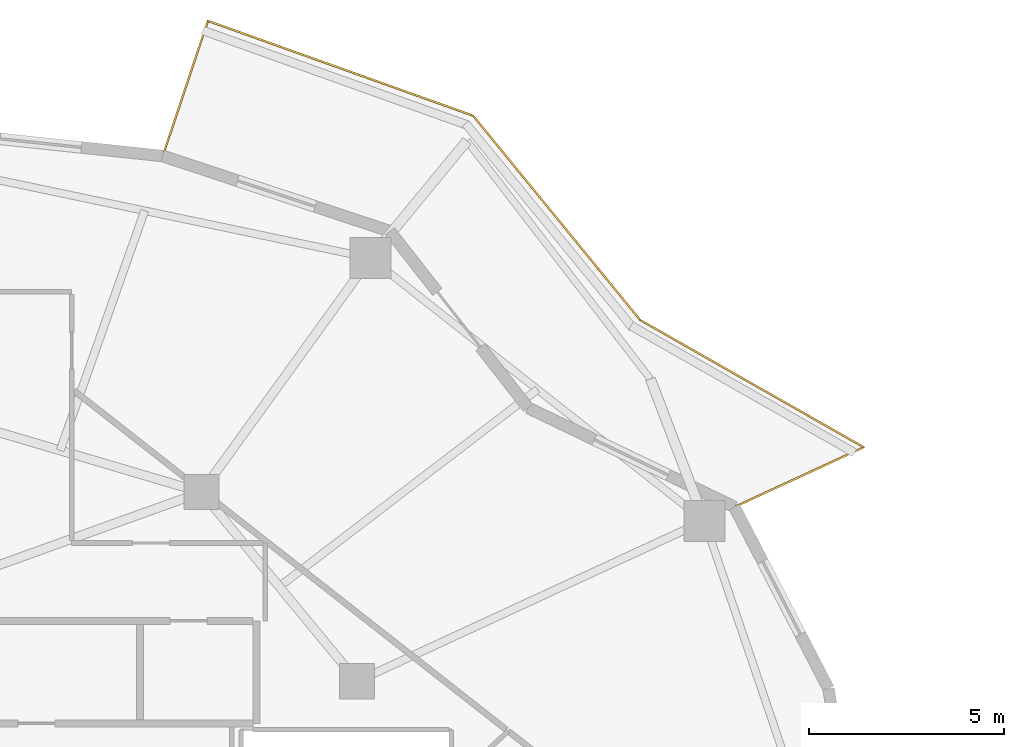
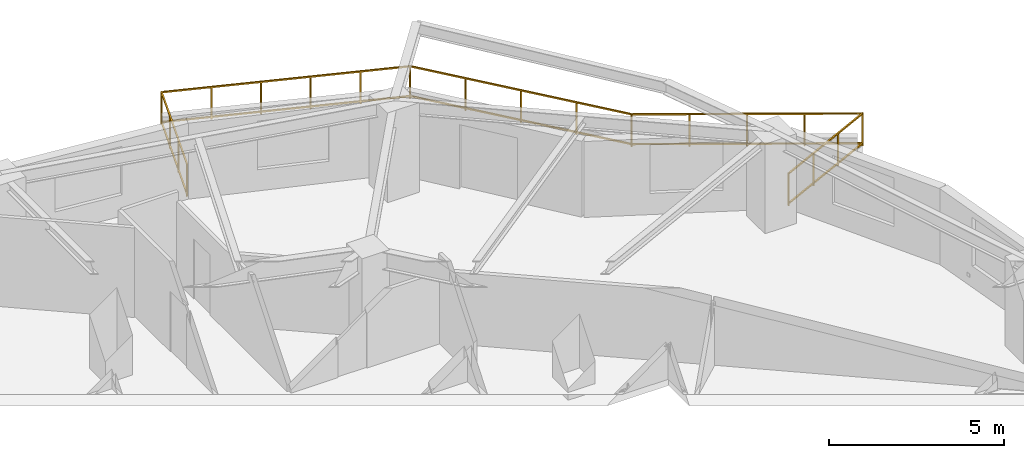
# One storey, part 14 of 14: 1 railing.
"""IFC4 building model written with IfcOpenShell, lengths in metres."""

from ifc_helpers import new_model, si_unit, direction, frame, origin, origin_2d, place, context, subcontext, project, spatial, rectangle, extrude, material, type_object, element, save


model = new_model("IFC4")

# Units and contexts
model_context = context("Model", 3, precision=1e-05, world=origin(), true_north=direction((0.0, 1.0)))
body_context = subcontext(model_context, "Body", "Model", "MODEL_VIEW")
ifc_project = project(units=[si_unit("LENGTHUNIT", "METRE"), si_unit("AREAUNIT", "SQUARE_METRE"), si_unit("VOLUMEUNIT", "CUBIC_METRE"), si_unit("PLANEANGLEUNIT", "RADIAN"), si_unit("MASSUNIT", "GRAM", prefix="KILO")], contexts=[model_context])

# Site, building, storey
site_placement = place(None, origin())
site = spatial("IfcSite", under=ifc_project, at=site_placement, CompositionType="ELEMENT")
building_placement = place(site_placement, origin())
building = spatial("IfcBuilding", under=site, at=building_placement, Name="Kolvaren Gate Tower and Convention Centre", CompositionType="ELEMENT")
storey_placement = place(building_placement, frame((0.0, 0.0, 112.10009765625)))
storey = spatial("IfcBuildingStorey", under=building, at=storey_placement, Name="L27", CompositionType="ELEMENT", Elevation=112.10009765625)

# Railing
ifc_material = material(Name="Brushed Stainless Steel Grade 316L", Category="steel")
railing_type = type_object("IfcRailingType", Name="ARCH-RL-GUARD-1150", PredefinedType="GUARDRAIL", material=ifc_material)
railing_placement = place(storey_placement, frame((51.072021484375, 36.675048828125, 0.0)))
element("IfcRailing", 1, at=railing_placement, inside=storey, type_object=railing_type, Name="Tower L27 Terrace Perimeter Guardrail GR-1", PredefinedType="GUARDRAIL", context=body_context, shape_type="SweptSolid", body=[
    extrude(rectangle(XDim=0.048095703125, YDim=0.048095703125, at=origin_2d()), frame((0.025390625, 0.01171875, 1.1259765625), z_axis=(0.907846116663, 0.419303503993, 0.0), x_axis=(-0.419303503993, 0.907846116663, 0.0)), (0.0, 0.0, 1.0), 3.60400390625),
    extrude(rectangle(XDim=0.048095703125, YDim=0.048095703125, at=origin_2d()), frame((0.025390625, 0.01171875, 0.083984375), z_axis=(0.907846116663, 0.419303503993, 0.0), x_axis=(-0.419303503993, 0.907846116663, 0.0)), (0.0, 0.0, 1.0), 3.60400390625),
    extrude(rectangle(XDim=0.048095703125, YDim=0.048095703125, at=origin_2d()), frame((3.29833984375, 1.548583984375, 1.1259765625), z_axis=(-0.869196694318, 0.494466486819, 0.0), x_axis=(-0.494466486819, -0.869196694318, 0.0)), (0.0, 0.0, 1.0), 6.55029296875),
    extrude(rectangle(XDim=0.048095703125, YDim=0.048095703125, at=origin_2d()), frame((3.29833984375, 1.548583984375, 0.083984375), z_axis=(-0.869196694318, 0.494466486819, 0.0), x_axis=(-0.494466486819, -0.869196694318, 0.0)), (0.0, 0.0, 1.0), 6.55029296875),
    extrude(rectangle(XDim=0.048095703125, YDim=0.048095703125, at=origin_2d()), frame((-2.437255859375, 4.822998046875, 1.1259765625), z_axis=(-0.633002467947, 0.77414977593, 0.0), x_axis=(-0.77414977593, -0.633002467947, 0.0)), (0.0, 0.0, 1.0), 6.724365234375),
    extrude(rectangle(XDim=0.048095703125, YDim=0.048095703125, at=origin_2d()), frame((-2.437255859375, 4.822998046875, 0.083984375), z_axis=(-0.633002467947, 0.77414977593, 0.0), x_axis=(-0.77414977593, -0.633002467947, 0.0)), (0.0, 0.0, 1.0), 6.724365234375),
    extrude(rectangle(XDim=0.048095703125, YDim=0.048095703125, at=origin_2d()), frame((-6.73779296875, 10.059814453125, 1.1259765625), z_axis=(-0.941628873241, 0.336652736627, 0.0), x_axis=(-0.336652736627, -0.941628873241, 0.0)), (0.0, 0.0, 1.0), 7.17919921875),
    extrude(rectangle(XDim=0.048095703125, YDim=0.048095703125, at=origin_2d()), frame((-6.73779296875, 10.059814453125, 0.083984375), z_axis=(-0.941628873241, 0.336652736627, 0.0), x_axis=(-0.336652736627, -0.941628873241, 0.0)), (0.0, 0.0, 1.0), 7.17919921875),
    extrude(rectangle(XDim=0.048095703125, YDim=0.048095703125, at=origin_2d()), frame((-13.533203125, 12.45947265625, 1.1259765625), z_axis=(-0.317588247294, -0.948228719867, 0.0), x_axis=(0.948228719867, -0.317588247294, 0.0)), (0.0, 0.0, 1.0), 3.603759765625),
    extrude(rectangle(XDim=0.048095703125, YDim=0.048095703125, at=origin_2d()), frame((-13.533203125, 12.45947265625, 0.083984375), z_axis=(-0.317588247294, -0.948228719867, 0.0), x_axis=(0.948228719867, -0.317588247294, 0.0)), (0.0, 0.0, 1.0), 3.603759765625),
    extrude(rectangle(XDim=0.0419921875, YDim=0.0419921875, at=origin_2d()), origin(), (0.0, 0.0, 1.0), 1.14990234375),
    extrude(rectangle(XDim=0.0419921875, YDim=0.0419921875, at=origin_2d()), frame((3.32275390625, 1.53466796875, 0.0)), (0.0, 0.0, 1.0), 1.14990234375),
    extrude(rectangle(XDim=0.0419921875, YDim=0.0419921875, at=origin_2d()), frame((1.107666015625, 0.511474609375, 0.0)), (0.0, 0.0, 1.0), 1.099853515625),
    extrude(rectangle(XDim=0.0419921875, YDim=0.0419921875, at=origin_2d()), frame((2.215087890625, 1.023193359375, 0.0)), (0.0, 0.0, 1.0), 1.099853515625),
    extrude(rectangle(XDim=0.0419921875, YDim=0.0419921875, at=origin_2d()), frame((-2.41943359375, 4.80126953125, 0.0)), (0.0, 0.0, 1.0), 1.14990234375),
    extrude(rectangle(XDim=0.0419921875, YDim=0.0419921875, at=origin_2d()), frame((1.88720703125, 2.351318359375, 0.0)), (0.0, 0.0, 1.0), 1.099853515625),
    extrude(rectangle(XDim=0.0419921875, YDim=0.0419921875, at=origin_2d()), frame((0.45166015625, 3.16796875, 0.0)), (0.0, 0.0, 1.0), 1.099853515625),
    extrude(rectangle(XDim=0.0419921875, YDim=0.0419921875, at=origin_2d()), frame((-0.98388671875, 3.984619140625, 0.0)), (0.0, 0.0, 1.0), 1.099853515625),
    extrude(rectangle(XDim=0.0419921875, YDim=0.0419921875, at=origin_2d()), frame((-6.71142578125, 10.05029296875, 0.0)), (0.0, 0.0, 1.0), 1.14990234375),
    extrude(rectangle(XDim=0.0419921875, YDim=0.0419921875, at=origin_2d()), frame((-3.492431640625, 6.113525390625, 0.0)), (0.0, 0.0, 1.0), 1.099853515625),
    extrude(rectangle(XDim=0.0419921875, YDim=0.0419921875, at=origin_2d()), frame((-4.5654296875, 7.42578125, 0.0)), (0.0, 0.0, 1.0), 1.099853515625),
    extrude(rectangle(XDim=0.0419921875, YDim=0.0419921875, at=origin_2d()), frame((-5.638427734375, 8.738037109375, 0.0)), (0.0, 0.0, 1.0), 1.099853515625),
    extrude(rectangle(XDim=0.0419921875, YDim=0.0419921875, at=origin_2d()), frame((-13.5244140625, 12.486083984375, 0.0)), (0.0, 0.0, 1.0), 1.14990234375),
    extrude(rectangle(XDim=0.0419921875, YDim=0.0419921875, at=origin_2d()), frame((-8.073974609375, 10.537353515625, 0.0)), (0.0, 0.0, 1.0), 1.099853515625),
    extrude(rectangle(XDim=0.0419921875, YDim=0.0419921875, at=origin_2d()), frame((-9.4365234375, 11.024658203125, 0.0)), (0.0, 0.0, 1.0), 1.099853515625),
    extrude(rectangle(XDim=0.0419921875, YDim=0.0419921875, at=origin_2d()), frame((-10.79931640625, 11.51171875, 0.0)), (0.0, 0.0, 1.0), 1.099853515625),
    extrude(rectangle(XDim=0.0419921875, YDim=0.0419921875, at=origin_2d()), frame((-12.161865234375, 11.9990234375, 0.0)), (0.0, 0.0, 1.0), 1.099853515625),
    extrude(rectangle(XDim=0.0419921875, YDim=0.0419921875, at=origin_2d()), frame((-14.686767578125, 9.015625, 0.0)), (0.0, 0.0, 1.0), 1.14990234375),
    extrude(rectangle(XDim=0.0419921875, YDim=0.0419921875, at=origin_2d()), frame((-13.911865234375, 11.329345703125, 0.0)), (0.0, 0.0, 1.0), 1.099853515625),
    extrude(rectangle(XDim=0.0419921875, YDim=0.0419921875, at=origin_2d()), frame((-14.29931640625, 10.17236328125, 0.0)), (0.0, 0.0, 1.0), 1.099853515625),
])

save(model, "model.ifc")
